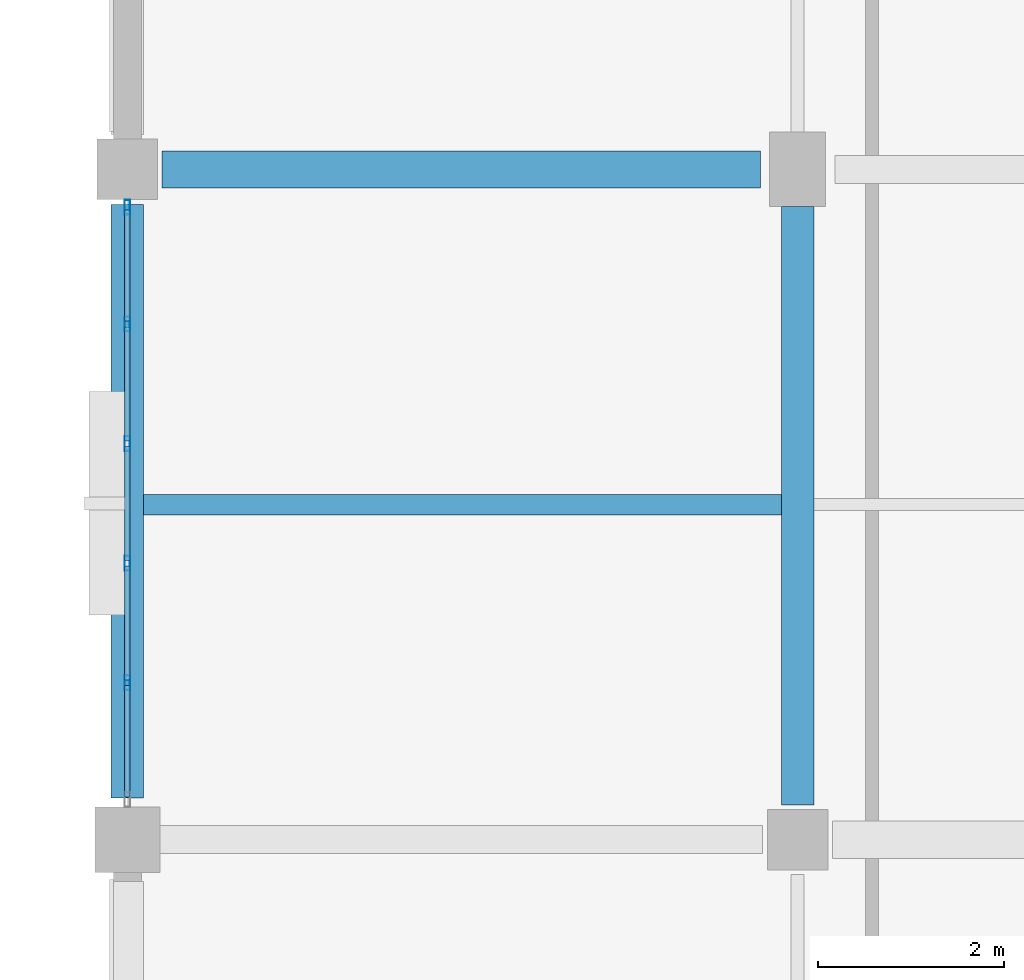
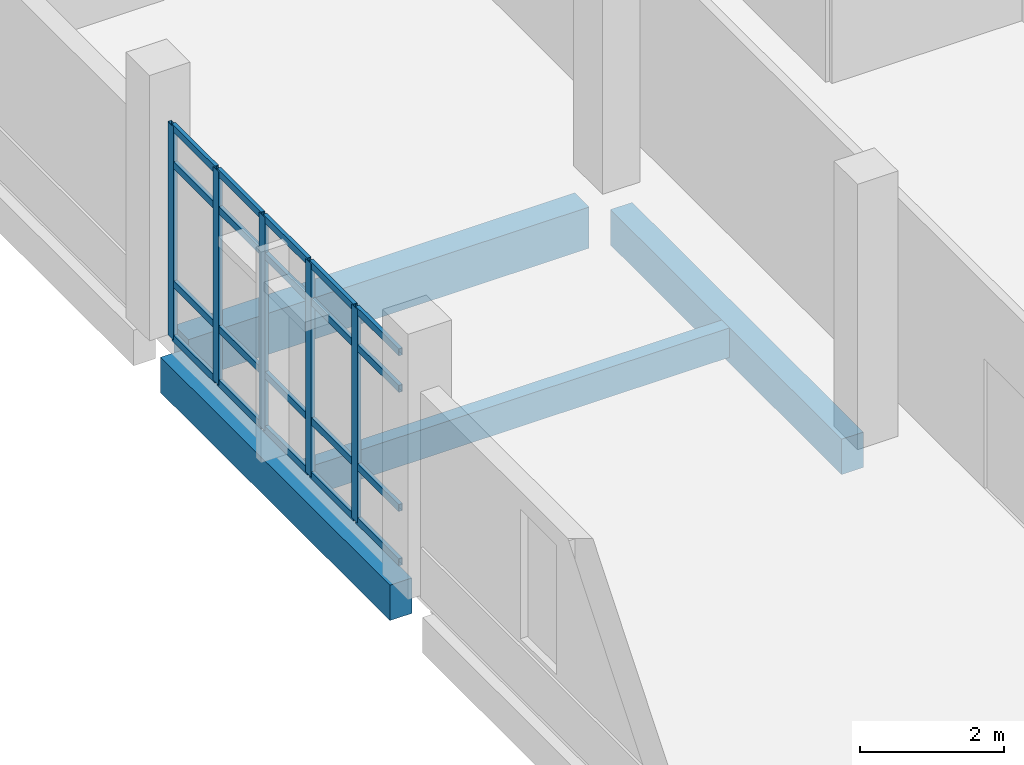
# One storey, part 14 of 124: 25 members, 4 beams, 1 element without a shape of its own.
"""IFC4 building model written with IfcOpenShell, lengths in metres."""

from ifc_helpers import new_model, si_unit, direction, frame, origin, origin_2d, place, context, subcontext, project, spatial, rectangle, hollow_rectangle, extrude, material, material_profile, profile_set, type_object, element, aggregate, save


model = new_model("IFC4")

# Units and contexts
model_context = context("Model", 3, precision=1e-05, world=origin(), true_north=direction((0.0, 1.0)))
body_context = subcontext(model_context, "Body", "Model", "MODEL_VIEW")
ifc_project = project(units=[si_unit("LENGTHUNIT", "METRE"), si_unit("AREAUNIT", "SQUARE_METRE"), si_unit("VOLUMEUNIT", "CUBIC_METRE"), si_unit("PLANEANGLEUNIT", "RADIAN"), si_unit("MASSUNIT", "GRAM", prefix="KILO")], contexts=[model_context])

# Site, building, storey
site_placement = place(None, origin())
site = spatial("IfcSite", under=ifc_project, at=site_placement, CompositionType="ELEMENT")
building_placement = place(site_placement, origin())
building = spatial("IfcBuilding", under=site, at=building_placement, Name="Kalluvel Institute of Natural Sciences", CompositionType="ELEMENT")
storey_placement = place(building_placement, frame((0.0, 0.0, 9.89990234375)))
storey = spatial("IfcBuildingStorey", under=building, at=storey_placement, Name="L02", CompositionType="ELEMENT", Elevation=9.89990234375)

# Beam
ifc_material_1 = material(Name="Concrete M40", Category="concrete")
ifc_material_profile_1 = material_profile(ifc_material_1, rectangle(XDim=0.35009765625, YDim=0.60009765625, at=origin_2d()), Name="RCB 350x600")
ifc_profile_set_1 = profile_set([ifc_material_profile_1], Name="Concrete M40")
beam_type_1 = type_object("IfcBeamType", Name="BM-RC350x600", PredefinedType="BEAM", material=ifc_profile_set_1)
beam_1_placement = place(storey_placement, frame((21.199951171875, 28.77490234375, -0.599853515625), z_axis=(0.0, 1.0, 0.0), x_axis=(-1.0, 0.0, 0.0)))
element("IfcBeam", 1, at=beam_1_placement, inside=storey, type_object=beam_type_1, Name="L02 girder GIR-L02-NS-X212-Y284", PredefinedType="BEAM", context=body_context, shape_type="SweptSolid", body=[
    extrude(rectangle(XDim=0.35009765625, YDim=0.60009765625, at=origin_2d()), origin(), (0.0, 0.0, 1.0), 6.425048828125),
])

# Curtain wall, members
ifc_material_2 = material(Name="Aluminium AW-6063 T6", Category="aluminium")
curtain_wall_type = type_object("IfcCurtainWallType", Name="CW-DRY-45", PredefinedType="USERDEFINED", material=ifc_material_2)
curtain_wall_placement = place(storey_placement, origin())
curtain_wall = element("IfcCurtainWall", 2, at=curtain_wall_placement, inside=storey, type_object=curtain_wall_type, Name="L02 Gothic lancet curtain wall CWA-L02-X140-Y288", ObjectType="UNITISED LANCET FACADE", PredefinedType="USERDEFINED")
ifc_material_profile_2 = material_profile(ifc_material_2, hollow_rectangle(XDim=0.06005859375, YDim=0.159912109375, WallThickness=0.00390625, at=origin_2d()), Name="CWM 60x160")
ifc_profile_set_2 = profile_set([ifc_material_profile_2], Name="Aluminium AW-6063 T6")
member_type_1 = type_object("IfcMemberType", Name="CWM-60x160", PredefinedType="MULLION", material=ifc_profile_set_2)
member_1_placement = place(storey_placement, frame((14.0, 30.0849609375, 0.0), z_axis=(0.0, 0.0, 1.0), x_axis=(-1.0, 0.0, 0.0)))
member_1 = element("IfcMember", 3, at=member_1_placement, type_object=member_type_1, Name="CW-03 mullion 2", PredefinedType="MULLION", context=body_context, shape_type="SweptSolid", body=[
    extrude(hollow_rectangle(XDim=0.06005859375, YDim=0.159912109375, WallThickness=0.00390625, at=origin_2d()), origin(), (0.0, 0.0, 1.0), 3.6201171875),
])
member_2_placement = place(storey_placement, frame((14.0, 31.3701171875, 0.0), z_axis=(0.0, 0.0, 1.0), x_axis=(-1.0, 0.0, 0.0)))
member_2 = element("IfcMember", 4, at=member_2_placement, type_object=member_type_1, Name="CW-03 mullion 3", PredefinedType="MULLION", context=body_context, shape_type="SweptSolid", body=[
    extrude(hollow_rectangle(XDim=0.06005859375, YDim=0.159912109375, WallThickness=0.00390625, at=origin_2d()), origin(), (0.0, 0.0, 1.0), 3.6201171875),
])
member_3_placement = place(storey_placement, frame((14.0, 32.655029296875, 0.0), z_axis=(0.0, 0.0, 1.0), x_axis=(-1.0, 0.0, 0.0)))
member_3 = element("IfcMember", 5, at=member_3_placement, type_object=member_type_1, Name="CW-03 mullion 4", PredefinedType="MULLION", context=body_context, shape_type="SweptSolid", body=[
    extrude(hollow_rectangle(XDim=0.06005859375, YDim=0.159912109375, WallThickness=0.00390625, at=origin_2d()), origin(), (0.0, 0.0, 1.0), 3.6201171875),
])
member_4_placement = place(storey_placement, frame((14.0, 33.93994140625, 0.0), z_axis=(0.0, 0.0, 1.0), x_axis=(-1.0, 0.0, 0.0)))
member_4 = element("IfcMember", 6, at=member_4_placement, type_object=member_type_1, Name="CW-03 mullion 5", PredefinedType="MULLION", context=body_context, shape_type="SweptSolid", body=[
    extrude(hollow_rectangle(XDim=0.06005859375, YDim=0.159912109375, WallThickness=0.00390625, at=origin_2d()), origin(), (0.0, 0.0, 1.0), 3.6201171875),
])
member_5_placement = place(storey_placement, frame((14.0, 35.195068359375, 0.0), z_axis=(0.0, 0.0, 1.0), x_axis=(-1.0, 0.0, 0.0)))
member_5 = element("IfcMember", 7, at=member_5_placement, type_object=member_type_1, Name="CW-03 mullion 6", PredefinedType="MULLION", context=body_context, shape_type="SweptSolid", body=[
    extrude(hollow_rectangle(XDim=0.06005859375, YDim=0.159912109375, WallThickness=0.00390625, at=origin_2d()), origin(), (0.0, 0.0, 1.0), 3.6201171875),
])
ifc_material_profile_3 = material_profile(ifc_material_2, hollow_rectangle(XDim=0.06005859375, YDim=0.1201171875, WallThickness=0.00390625, at=origin_2d()), Name="CWT 60x120")
ifc_profile_set_3 = profile_set([ifc_material_profile_3], Name="Aluminium AW-6063 T6")
member_type_2 = type_object("IfcMemberType", Name="CWT-60x120", PredefinedType="USERDEFINED", material=ifc_profile_set_3)
member_6_placement = place(storey_placement, frame((14.0, 28.860107421875, 0.030029296875), z_axis=(0.0, 1.0, 0.0), x_axis=(-1.0, 0.0, 0.0)))
member_6 = element("IfcMember", 8, at=member_6_placement, type_object=member_type_2, Name="CW-03 transom 1.1", ObjectType="TRANSOM", PredefinedType="USERDEFINED", context=body_context, shape_type="SweptSolid", body=[
    extrude(hollow_rectangle(XDim=0.06005859375, YDim=0.1201171875, WallThickness=0.00390625, at=origin_2d()), origin(), (0.0, 0.0, 1.0), 1.19482421875),
])
member_7_placement = place(storey_placement, frame((14.0, 28.860107421875, 0.9501953125), z_axis=(0.0, 1.0, 0.0), x_axis=(-1.0, 0.0, 0.0)))
member_7 = element("IfcMember", 9, at=member_7_placement, type_object=member_type_2, Name="CW-03 transom 1.2", ObjectType="TRANSOM", PredefinedType="USERDEFINED", context=body_context, shape_type="SweptSolid", body=[
    extrude(hollow_rectangle(XDim=0.06005859375, YDim=0.1201171875, WallThickness=0.00390625, at=origin_2d()), origin(), (0.0, 0.0, 1.0), 1.19482421875),
])
member_8_placement = place(storey_placement, frame((14.0, 28.860107421875, 2.97021484375), z_axis=(0.0, 1.0, 0.0), x_axis=(-1.0, 0.0, 0.0)))
member_8 = element("IfcMember", 10, at=member_8_placement, type_object=member_type_2, Name="CW-03 transom 1.3", ObjectType="TRANSOM", PredefinedType="USERDEFINED", context=body_context, shape_type="SweptSolid", body=[
    extrude(hollow_rectangle(XDim=0.06005859375, YDim=0.1201171875, WallThickness=0.00390625, at=origin_2d()), origin(), (0.0, 0.0, 1.0), 1.19482421875),
])
member_9_placement = place(storey_placement, frame((14.0, 28.860107421875, 3.590087890625), z_axis=(0.0, 1.0, 0.0), x_axis=(-1.0, 0.0, 0.0)))
member_9 = element("IfcMember", 11, at=member_9_placement, type_object=member_type_2, Name="CW-03 transom 1.4", ObjectType="TRANSOM", PredefinedType="USERDEFINED", context=body_context, shape_type="SweptSolid", body=[
    extrude(hollow_rectangle(XDim=0.06005859375, YDim=0.1201171875, WallThickness=0.00390625, at=origin_2d()), origin(), (0.0, 0.0, 1.0), 1.19482421875),
])
member_10_placement = place(storey_placement, frame((14.0, 30.114990234375, 0.030029296875), z_axis=(0.0, 1.0, 0.0), x_axis=(-1.0, 0.0, 0.0)))
member_10 = element("IfcMember", 12, at=member_10_placement, type_object=member_type_2, Name="CW-03 transom 2.1", ObjectType="TRANSOM", PredefinedType="USERDEFINED", context=body_context, shape_type="SweptSolid", body=[
    extrude(hollow_rectangle(XDim=0.06005859375, YDim=0.1201171875, WallThickness=0.00390625, at=origin_2d()), origin(), (0.0, 0.0, 1.0), 1.22509765625),
])
member_11_placement = place(storey_placement, frame((14.0, 30.114990234375, 0.9501953125), z_axis=(0.0, 1.0, 0.0), x_axis=(-1.0, 0.0, 0.0)))
member_11 = element("IfcMember", 13, at=member_11_placement, type_object=member_type_2, Name="CW-03 transom 2.2", ObjectType="TRANSOM", PredefinedType="USERDEFINED", context=body_context, shape_type="SweptSolid", body=[
    extrude(hollow_rectangle(XDim=0.06005859375, YDim=0.1201171875, WallThickness=0.00390625, at=origin_2d()), origin(), (0.0, 0.0, 1.0), 1.22509765625),
])
member_12_placement = place(storey_placement, frame((14.0, 30.114990234375, 2.97021484375), z_axis=(0.0, 1.0, 0.0), x_axis=(-1.0, 0.0, 0.0)))
member_12 = element("IfcMember", 14, at=member_12_placement, type_object=member_type_2, Name="CW-03 transom 2.3", ObjectType="TRANSOM", PredefinedType="USERDEFINED", context=body_context, shape_type="SweptSolid", body=[
    extrude(hollow_rectangle(XDim=0.06005859375, YDim=0.1201171875, WallThickness=0.00390625, at=origin_2d()), origin(), (0.0, 0.0, 1.0), 1.22509765625),
])
member_13_placement = place(storey_placement, frame((14.0, 30.114990234375, 3.590087890625), z_axis=(0.0, 1.0, 0.0), x_axis=(-1.0, 0.0, 0.0)))
member_13 = element("IfcMember", 15, at=member_13_placement, type_object=member_type_2, Name="CW-03 transom 2.4", ObjectType="TRANSOM", PredefinedType="USERDEFINED", context=body_context, shape_type="SweptSolid", body=[
    extrude(hollow_rectangle(XDim=0.06005859375, YDim=0.1201171875, WallThickness=0.00390625, at=origin_2d()), origin(), (0.0, 0.0, 1.0), 1.22509765625),
])
member_14_placement = place(storey_placement, frame((14.0, 31.39990234375, 0.030029296875), z_axis=(0.0, 1.0, 0.0), x_axis=(-1.0, 0.0, 0.0)))
member_14 = element("IfcMember", 16, at=member_14_placement, type_object=member_type_2, Name="CW-03 transom 3.1", ObjectType="TRANSOM", PredefinedType="USERDEFINED", context=body_context, shape_type="SweptSolid", body=[
    extrude(hollow_rectangle(XDim=0.06005859375, YDim=0.1201171875, WallThickness=0.00390625, at=origin_2d()), origin(), (0.0, 0.0, 1.0), 1.22509765625),
])
member_15_placement = place(storey_placement, frame((14.0, 31.39990234375, 0.9501953125), z_axis=(0.0, 1.0, 0.0), x_axis=(-1.0, 0.0, 0.0)))
member_15 = element("IfcMember", 17, at=member_15_placement, type_object=member_type_2, Name="CW-03 transom 3.2", ObjectType="TRANSOM", PredefinedType="USERDEFINED", context=body_context, shape_type="SweptSolid", body=[
    extrude(hollow_rectangle(XDim=0.06005859375, YDim=0.1201171875, WallThickness=0.00390625, at=origin_2d()), origin(), (0.0, 0.0, 1.0), 1.22509765625),
])
member_16_placement = place(storey_placement, frame((14.0, 31.39990234375, 2.97021484375), z_axis=(0.0, 1.0, 0.0), x_axis=(-1.0, 0.0, 0.0)))
member_16 = element("IfcMember", 18, at=member_16_placement, type_object=member_type_2, Name="CW-03 transom 3.3", ObjectType="TRANSOM", PredefinedType="USERDEFINED", context=body_context, shape_type="SweptSolid", body=[
    extrude(hollow_rectangle(XDim=0.06005859375, YDim=0.1201171875, WallThickness=0.00390625, at=origin_2d()), origin(), (0.0, 0.0, 1.0), 1.22509765625),
])
member_17_placement = place(storey_placement, frame((14.0, 31.39990234375, 3.590087890625), z_axis=(0.0, 1.0, 0.0), x_axis=(-1.0, 0.0, 0.0)))
member_17 = element("IfcMember", 19, at=member_17_placement, type_object=member_type_2, Name="CW-03 transom 3.4", ObjectType="TRANSOM", PredefinedType="USERDEFINED", context=body_context, shape_type="SweptSolid", body=[
    extrude(hollow_rectangle(XDim=0.06005859375, YDim=0.1201171875, WallThickness=0.00390625, at=origin_2d()), origin(), (0.0, 0.0, 1.0), 1.22509765625),
])
member_18_placement = place(storey_placement, frame((14.0, 32.68505859375, 0.030029296875), z_axis=(0.0, 1.0, 0.0), x_axis=(-1.0, 0.0, 0.0)))
member_18 = element("IfcMember", 20, at=member_18_placement, type_object=member_type_2, Name="CW-03 transom 4.1", ObjectType="TRANSOM", PredefinedType="USERDEFINED", context=body_context, shape_type="SweptSolid", body=[
    extrude(hollow_rectangle(XDim=0.06005859375, YDim=0.1201171875, WallThickness=0.00390625, at=origin_2d()), origin(), (0.0, 0.0, 1.0), 1.224853515625),
])
member_19_placement = place(storey_placement, frame((14.0, 32.68505859375, 0.9501953125), z_axis=(0.0, 1.0, 0.0), x_axis=(-1.0, 0.0, 0.0)))
member_19 = element("IfcMember", 21, at=member_19_placement, type_object=member_type_2, Name="CW-03 transom 4.2", ObjectType="TRANSOM", PredefinedType="USERDEFINED", context=body_context, shape_type="SweptSolid", body=[
    extrude(hollow_rectangle(XDim=0.06005859375, YDim=0.1201171875, WallThickness=0.00390625, at=origin_2d()), origin(), (0.0, 0.0, 1.0), 1.224853515625),
])
member_20_placement = place(storey_placement, frame((14.0, 32.68505859375, 2.97021484375), z_axis=(0.0, 1.0, 0.0), x_axis=(-1.0, 0.0, 0.0)))
member_20 = element("IfcMember", 22, at=member_20_placement, type_object=member_type_2, Name="CW-03 transom 4.3", ObjectType="TRANSOM", PredefinedType="USERDEFINED", context=body_context, shape_type="SweptSolid", body=[
    extrude(hollow_rectangle(XDim=0.06005859375, YDim=0.1201171875, WallThickness=0.00390625, at=origin_2d()), origin(), (0.0, 0.0, 1.0), 1.224853515625),
])
member_21_placement = place(storey_placement, frame((14.0, 32.68505859375, 3.590087890625), z_axis=(0.0, 1.0, 0.0), x_axis=(-1.0, 0.0, 0.0)))
member_21 = element("IfcMember", 23, at=member_21_placement, type_object=member_type_2, Name="CW-03 transom 4.4", ObjectType="TRANSOM", PredefinedType="USERDEFINED", context=body_context, shape_type="SweptSolid", body=[
    extrude(hollow_rectangle(XDim=0.06005859375, YDim=0.1201171875, WallThickness=0.00390625, at=origin_2d()), origin(), (0.0, 0.0, 1.0), 1.224853515625),
])
member_22_placement = place(storey_placement, frame((14.0, 33.969970703125, 0.030029296875), z_axis=(0.0, 1.0, 0.0), x_axis=(-1.0, 0.0, 0.0)))
member_22 = element("IfcMember", 24, at=member_22_placement, type_object=member_type_2, Name="CW-03 transom 5.1", ObjectType="TRANSOM", PredefinedType="USERDEFINED", context=body_context, shape_type="SweptSolid", body=[
    extrude(hollow_rectangle(XDim=0.06005859375, YDim=0.1201171875, WallThickness=0.00390625, at=origin_2d()), origin(), (0.0, 0.0, 1.0), 1.195068359375),
])
member_23_placement = place(storey_placement, frame((14.0, 33.969970703125, 0.9501953125), z_axis=(0.0, 1.0, 0.0), x_axis=(-1.0, 0.0, 0.0)))
member_23 = element("IfcMember", 25, at=member_23_placement, type_object=member_type_2, Name="CW-03 transom 5.2", ObjectType="TRANSOM", PredefinedType="USERDEFINED", context=body_context, shape_type="SweptSolid", body=[
    extrude(hollow_rectangle(XDim=0.06005859375, YDim=0.1201171875, WallThickness=0.00390625, at=origin_2d()), origin(), (0.0, 0.0, 1.0), 1.195068359375),
])
member_24_placement = place(storey_placement, frame((14.0, 33.969970703125, 2.97021484375), z_axis=(0.0, 1.0, 0.0), x_axis=(-1.0, 0.0, 0.0)))
member_24 = element("IfcMember", 26, at=member_24_placement, type_object=member_type_2, Name="CW-03 transom 5.3", ObjectType="TRANSOM", PredefinedType="USERDEFINED", context=body_context, shape_type="SweptSolid", body=[
    extrude(hollow_rectangle(XDim=0.06005859375, YDim=0.1201171875, WallThickness=0.00390625, at=origin_2d()), origin(), (0.0, 0.0, 1.0), 1.195068359375),
])
member_25_placement = place(storey_placement, frame((14.0, 33.969970703125, 3.590087890625), z_axis=(0.0, 1.0, 0.0), x_axis=(-1.0, 0.0, 0.0)))
member_25 = element("IfcMember", 27, at=member_25_placement, type_object=member_type_2, Name="CW-03 transom 5.4", ObjectType="TRANSOM", PredefinedType="USERDEFINED", context=body_context, shape_type="SweptSolid", body=[
    extrude(hollow_rectangle(XDim=0.06005859375, YDim=0.1201171875, WallThickness=0.00390625, at=origin_2d()), origin(), (0.0, 0.0, 1.0), 1.195068359375),
])
aggregate(curtain_wall, [member_1, member_2, member_3, member_4, member_5, member_6, member_7, member_8, member_9, member_10, member_11, member_12, member_13, member_14, member_15, member_16, member_17, member_18, member_19, member_20, member_21, member_22, member_23, member_24, member_25])

# Beams
ifc_material_profile_4 = material_profile(ifc_material_1, rectangle(XDim=0.35009765625, YDim=0.60009765625, at=origin_2d()), Name="RCB 350x600")
ifc_profile_set_4 = profile_set([ifc_material_profile_4], Name="Concrete M40")
beam_type_2 = type_object("IfcBeamType", Name="SP-RC350x600", PredefinedType="SPANDREL", material=ifc_profile_set_4)
beam_2_placement = place(storey_placement, frame((14.0, 28.85009765625, -0.599853515625), z_axis=(0.0, 1.0, 0.0), x_axis=(-1.0, 0.0, 0.0)))
element("IfcBeam", 28, at=beam_2_placement, inside=storey, type_object=beam_type_2, Name="L02 girder GIR-L02-NS-X140-Y284", PredefinedType="SPANDREL", context=body_context, shape_type="SweptSolid", body=[
    extrude(rectangle(XDim=0.35009765625, YDim=0.60009765625, at=origin_2d()), origin(), (0.0, 0.0, 1.0), 6.375),
])
ifc_material_profile_5 = material_profile(ifc_material_1, rectangle(XDim=0.39990234375, YDim=0.699951171875, at=origin_2d()), Name="RCB 400x700")
ifc_profile_set_5 = profile_set([ifc_material_profile_5], Name="Concrete M40")
beam_type_3 = type_object("IfcBeamType", Name="SP-RC400x700", PredefinedType="SPANDREL", material=ifc_profile_set_5)
beam_3_placement = place(storey_placement, frame((14.375, 35.60009765625, -0.64990234375), z_axis=(1.0, 0.0, 0.0), x_axis=(0.0, 1.0, 0.0)))
element("IfcBeam", 29, at=beam_3_placement, inside=storey, type_object=beam_type_3, Name="L02 girder GIR-L02-EW-X140-Y356", PredefinedType="SPANDREL", context=body_context, shape_type="SweptSolid", body=[
    extrude(rectangle(XDim=0.39990234375, YDim=0.699951171875, at=origin_2d()), origin(), (0.0, 0.0, 1.0), 6.425048828125),
])
ifc_material_profile_6 = material_profile(ifc_material_1, rectangle(XDim=0.219970703125, YDim=0.5, at=origin_2d()), Name="WAF 220x500")
ifc_profile_set_6 = profile_set([ifc_material_profile_6], Name="Concrete M40")
beam_type_4 = type_object("IfcBeamType", Name="WJ-220x500", PredefinedType="JOIST", material=ifc_profile_set_6)
beam_4_placement = place(storey_placement, frame((14.175048828125, 32.0, -0.5498046875), z_axis=(1.0, 0.0, 0.0), x_axis=(0.0, 1.0, 0.0)))
element("IfcBeam", 30, at=beam_4_placement, inside=storey, type_object=beam_type_4, Name="L02 floor rib RIB-L02-0658", PredefinedType="JOIST", context=body_context, shape_type="SweptSolid", body=[
    extrude(rectangle(XDim=0.219970703125, YDim=0.5, at=origin_2d()), origin(), (0.0, 0.0, 1.0), 6.849853515625),
])

save(model, "model.ifc")
